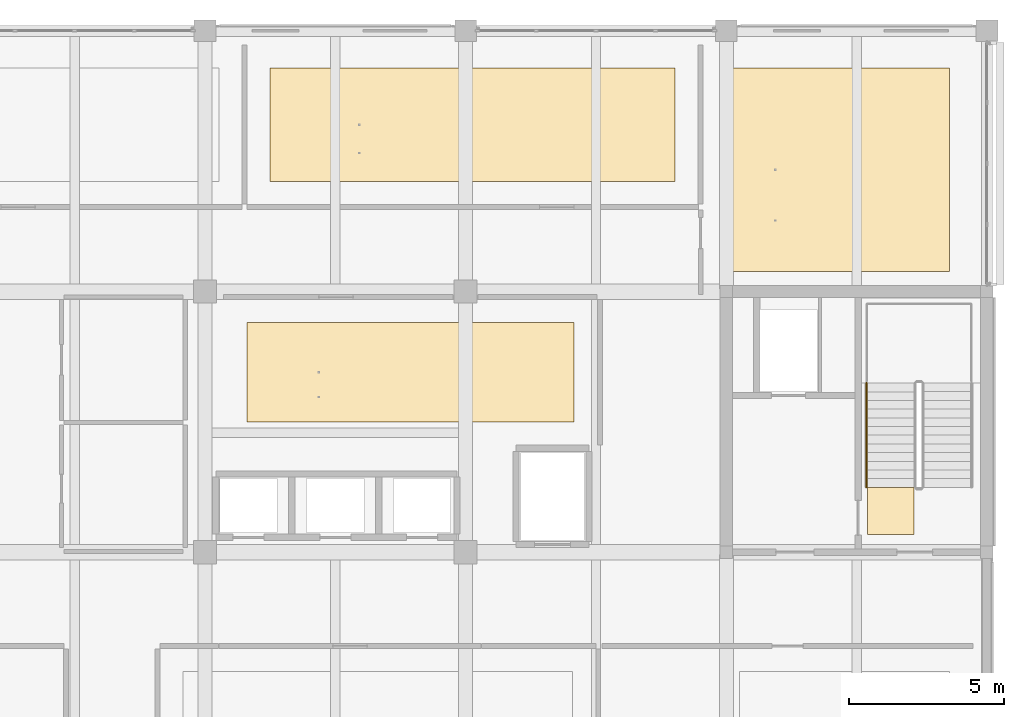
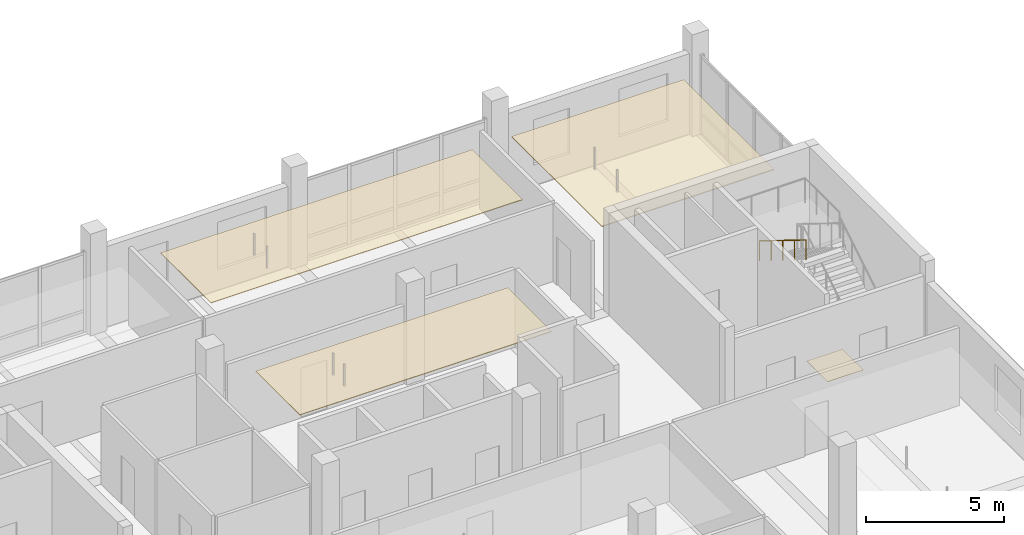
# One storey, part 31 of 35: 4 coverings, 1 railing.
"""IFC4 building model written with IfcOpenShell, lengths in metres."""

from ifc_helpers import new_model, si_unit, direction, frame, origin, origin_2d, place, context, subcontext, project, spatial, polyline, circle, outline, extrude, material, layer, layer_set, type_object, element, save


model = new_model("IFC4")

# Units and contexts
model_context = context("Model", 3, precision=1e-05, world=origin(), true_north=direction((0.0, 1.0)))
body_context = subcontext(model_context, "Body", "Model", "MODEL_VIEW")
ifc_project = project(units=[si_unit("LENGTHUNIT", "METRE"), si_unit("AREAUNIT", "SQUARE_METRE"), si_unit("VOLUMEUNIT", "CUBIC_METRE"), si_unit("PLANEANGLEUNIT", "RADIAN"), si_unit("MASSUNIT", "GRAM", prefix="KILO")], contexts=[model_context])

# Site, building, storey
site_placement = place(None, origin())
site = spatial("IfcSite", under=ifc_project, at=site_placement, CompositionType="ELEMENT")
building_placement = place(site_placement, origin())
building = spatial("IfcBuilding", under=site, at=building_placement, Name="Telukmera Botanical Conservatory", CompositionType="ELEMENT")
storey_placement = place(building_placement, frame((0.0, 0.0, 46.5)))
storey = spatial("IfcBuildingStorey", under=building, at=storey_placement, Name="L10", CompositionType="ELEMENT", Elevation=46.5)

# Coverings
ifc_material_1 = material(Name="Mineral fibre acoustic ceiling")
ifc_layer_1 = layer(ifc_material_1, 0.030029296875)
ifc_layer_set_1 = layer_set([ifc_layer_1], Name="Mineral fibre acoustic ceiling")
covering_type_1 = type_object("IfcCoveringType", Name="COV-CEIL-30", PredefinedType="CEILING", material=ifc_layer_set_1)
covering_1_placement = place(storey_placement, frame((0.0, 0.0, 3.320068359375)))
element("IfcCovering", 1, at=covering_1_placement, inside=storey, type_object=covering_type_1, Name="L10 Sterile Media Preparation Laboratory Suspended Acoustic Ceiling", PredefinedType="CEILING", context=body_context, shape_type="SweptSolid", body=[
    extrude(outline(polyline([(76.949951171875, 30.199951171875), (87.5, 30.199951171875), (87.5, 33.39990234375), (76.949951171875, 33.39990234375), (76.949951171875, 30.199951171875)])), origin(), (0.0, 0.0, 1.0), 0.030029296875),
])
covering_2_placement = place(storey_placement, frame((0.0, 0.0, 3.320068359375)))
element("IfcCovering", 2, at=covering_2_placement, inside=storey, type_object=covering_type_1, Name="L10 Somatic Embryogenesis Laboratory Suspended Acoustic Ceiling", PredefinedType="CEILING", context=body_context, shape_type="SweptSolid", body=[
    extrude(outline(polyline([(77.699951171875, 37.949951171875), (90.75, 37.949951171875), (90.75, 41.60009765625), (77.699951171875, 41.60009765625), (77.699951171875, 37.949951171875)])), origin(), (0.0, 0.0, 1.0), 0.030029296875),
])
ifc_material_2 = material(Name="Perforated gypsum acoustic ceiling")
ifc_layer_2 = layer(ifc_material_2, 0.0400390625)
ifc_layer_set_2 = layer_set([ifc_layer_2], Name="Perforated gypsum acoustic ceiling")
covering_type_2 = type_object("IfcCoveringType", Name="COV-CEIL-40", PredefinedType="CEILING", material=ifc_layer_set_2)
covering_3_placement = place(storey_placement, frame((0.0, 0.0, 3.31005859375)))
element("IfcCovering", 3, at=covering_3_placement, inside=storey, type_object=covering_type_2, Name="L10 Germplasm Curation Studio Suspended Acoustic Ceiling", PredefinedType="CEILING", context=body_context, shape_type="SweptSolid", body=[
    extrude(outline(polyline([(92.39990234375, 35.050048828125), (99.60009765625, 35.050048828125), (99.60009765625, 41.60009765625), (92.39990234375, 41.60009765625), (92.39990234375, 35.050048828125)])), origin(), (0.0, 0.0, 1.0), 0.0400390625),
])
ifc_material_3 = material(Name="Honed granite non-slip flooring", Category="masonry")
ifc_layer_3 = layer(ifc_material_3, 0.011962890625)
ifc_layer_set_3 = layer_set([ifc_layer_3], Name="Honed granite non-slip flooring")
covering_type_3 = type_object("IfcCoveringType", Name="COV-FLR-12", PredefinedType="FLOORING", material=ifc_layer_set_3)
covering_4_placement = place(storey_placement, origin())
element("IfcCovering", 4, at=covering_4_placement, inside=storey, type_object=covering_type_3, Name="L10 ST2 Non-Slip Stair Landing Finish", PredefinedType="FLOORING", context=body_context, shape_type="SweptSolid", body=[
    extrude(outline(polyline([(98.449951171875, 26.570068359375), (98.449951171875, 28.0849609375), (96.949951171875, 28.0849609375), (96.949951171875, 26.570068359375), (98.449951171875, 26.570068359375)])), origin(), (0.0, 0.0, 1.0), 0.011962890625),
])

# Railing
ifc_material_4 = material(Name="Stainless steel 316", Category="steel")
railing_type = type_object("IfcRailingType", Name="RL-HAND-900", PredefinedType="HANDRAIL", material=ifc_material_4)
railing_placement = place(storey_placement, frame((96.919921875, 31.449951171875, 2.423095703125)))
element("IfcRailing", 5, at=railing_placement, inside=storey, type_object=railing_type, Name="L10 ST2 stair handrail 2", PredefinedType="HANDRAIL", context=body_context, shape_type="SweptSolid", body=[
    extrude(circle(Radius=0.02392578125, at=origin_2d()), frame((0.0, 0.0, 0.8759765625), z_axis=(0.0, -0.850606129759, 0.525803396734), x_axis=(1.0, 0.0, 0.0)), (0.0, 0.0, 1.0), 3.949951171875),
    extrude(circle(Radius=0.02099609375, at=origin_2d()), origin(), (0.0, 0.0, 1.0), 0.851806640625),
    extrude(circle(Radius=0.02099609375, at=origin_2d()), frame((0.0, -0.83984375, 0.519287109375)), (0.0, 0.0, 1.0), 0.851806640625),
    extrude(circle(Radius=0.02099609375, at=origin_2d()), frame((0.0, -1.679931640625, 1.03857421875)), (0.0, 0.0, 1.0), 0.851806640625),
    extrude(circle(Radius=0.02099609375, at=origin_2d()), frame((0.0, -2.52001953125, 1.5576171875)), (0.0, 0.0, 1.0), 0.851806640625),
    extrude(circle(Radius=0.02099609375, at=origin_2d()), frame((0.0, -3.35986328125, 2.076904296875)), (0.0, 0.0, 1.0), 0.851806640625),
])

save(model, "model.ifc")
